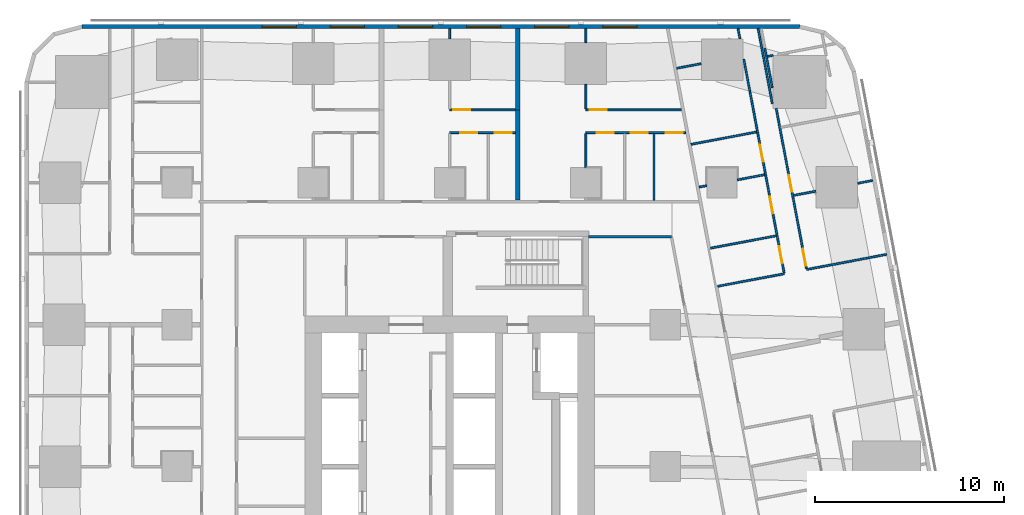
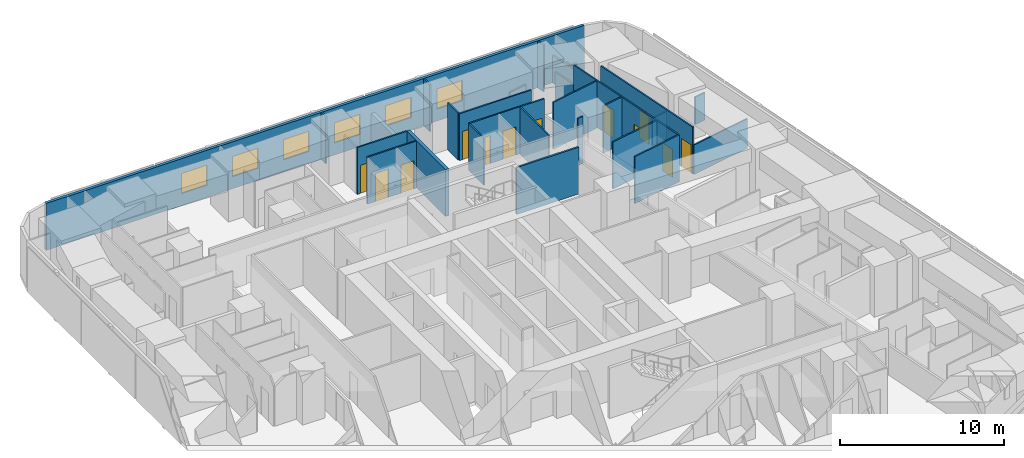
# One storey, part 11 of 16: 29 walls, 12 doors, 6 windows, 18 openings.
"""IFC4 building model written with IfcOpenShell, lengths in metres."""

from ifc_helpers import new_model, si_unit, direction, frame, frame_2d, origin, place, context, subcontext, project, spatial, rectangle, extrude, material, layer, layer_set, type_object, element, fill, save


model = new_model("IFC4")

# Units and contexts
model_context = context("Model", 3, precision=1e-05, world=origin(), true_north=direction((0.0, 1.0)))
body_context = subcontext(model_context, "Body", "Model", "MODEL_VIEW")
ifc_project = project(units=[si_unit("LENGTHUNIT", "METRE"), si_unit("AREAUNIT", "SQUARE_METRE"), si_unit("VOLUMEUNIT", "CUBIC_METRE"), si_unit("PLANEANGLEUNIT", "RADIAN"), si_unit("MASSUNIT", "GRAM", prefix="KILO")], contexts=[model_context])

# Site, building, storey
site_placement = place(None, origin())
site = spatial("IfcSite", under=ifc_project, at=site_placement, CompositionType="ELEMENT")
building_placement = place(site_placement, origin())
building = spatial("IfcBuilding", under=site, at=building_placement, Name="Sheger Commons Tower", CompositionType="ELEMENT")
storey_placement = place(building_placement, frame((0.0, 0.0, 89.14990234375)))
storey = spatial("IfcBuildingStorey", under=building, at=storey_placement, Name="L22", CompositionType="ELEMENT", Elevation=89.14990234375)

# Walls
ifc_material_1 = material(Name="Dense concrete block masonry, plastered both sides (separating wall between flats)", Category="masonry")
ifc_layer_1 = layer(ifc_material_1, 0.25)
ifc_layer_set_1 = layer_set([ifc_layer_1], Name="DEMISING WALL 250")
wall_type_1 = type_object("IfcWallType", Name="DEMISING WALL 250", PredefinedType="SOLIDWALL", material=ifc_layer_set_1)
wall_1_placement = place(storey_placement, frame((25.199951171875, 41.35009765625, 0.0), z_axis=(0.0, 0.0, 1.0), x_axis=(0.0, 1.0, 0.0)))
element("IfcWall", 1, at=wall_1_placement, inside=storey, type_object=wall_type_1, Name="Demising wall L22", PredefinedType="SOLIDWALL", context=body_context, shape_type="SweptSolid", body=[
    extrude(rectangle(XDim=4.2998046875, YDim=0.25, at=frame_2d((2.14990234375, 0.0))), origin(), (0.0, 0.0, 1.0), 2.2001953125),
])
wall_2_placement = place(storey_placement, frame((25.199951171875, 36.574951171875, 0.0), z_axis=(0.0, 0.0, 1.0), x_axis=(0.0, 1.0, 0.0)))
element("IfcWall", 2, at=wall_2_placement, inside=storey, type_object=wall_type_1, Name="Demising wall L22", PredefinedType="SOLIDWALL", context=body_context, shape_type="SweptSolid", body=[
    extrude(rectangle(XDim=4.775146484375, YDim=0.25, at=frame_2d((2.3876953125, 0.0))), origin(), (0.0, 0.0, 1.0), 3.5),
])

# Wall, openings, windows
ifc_material_2 = material(Name="Rendered concrete block masonry, dark grey", Category="masonry")
ifc_layer_2 = layer(ifc_material_2, 0.199951171875)
ifc_layer_set_2 = layer_set([ifc_layer_2], Name="FACADE WALL 200")
wall_type_2 = type_object("IfcWallType", Name="FACADE WALL 200", PredefinedType="SOLIDWALL", material=ifc_layer_set_2)
wall_3_placement = place(storey_placement, frame((40.10595703125, 45.75, 0.0), z_axis=(0.0, 0.0, 1.0), x_axis=(-1.0, 0.0, 0.0)))
wall_3 = element("IfcWall", 3, at=wall_3_placement, inside=storey, type_object=wall_type_2, Name="Facade wall L22", PredefinedType="SOLIDWALL", context=body_context, shape_type="SweptSolid", body=[
    extrude(rectangle(XDim=37.94287109375, YDim=0.199951171875, at=frame_2d((18.971435546875, 0.0))), origin(), (0.0, 0.0, 1.0), 3.5),
])
opening_1_placement = place(wall_3_placement, frame((8.60595703125, 0.0, 0.89990234375)))
opening_1 = element("IfcOpeningElement", 4, at=opening_1_placement, cuts=wall_3, Name="Opening W2", PredefinedType="OPENING", context=body_context, shape_type="SweptSolid", body=[
    extrude(rectangle(XDim=1.800048828125, YDim=1.5, at=frame_2d((0.89990234375, 0.75))), frame((0.0, 0.10986328125, 0.0), z_axis=(0.0, -1.0, 0.0), x_axis=(1.0, 0.0, 0.0)), (0.0, 0.0, 1.0), 0.219970703125),
])
opening_2_placement = place(wall_3_placement, frame((12.2060546875, 0.0, 0.89990234375)))
opening_2 = element("IfcOpeningElement", 5, at=opening_2_placement, cuts=wall_3, Name="Opening W2", PredefinedType="OPENING", context=body_context, shape_type="SweptSolid", body=[
    extrude(rectangle(XDim=1.800048828125, YDim=1.5, at=frame_2d((0.89990234375, 0.75))), frame((0.0, 0.10986328125, 0.0), z_axis=(0.0, -1.0, 0.0), x_axis=(1.0, 0.0, 0.0)), (0.0, 0.0, 1.0), 0.219970703125),
])
opening_3_placement = place(wall_3_placement, frame((15.805908203125, 0.0, 0.89990234375)))
opening_3 = element("IfcOpeningElement", 6, at=opening_3_placement, cuts=wall_3, Name="Opening W2", PredefinedType="OPENING", context=body_context, shape_type="SweptSolid", body=[
    extrude(rectangle(XDim=1.800048828125, YDim=1.5, at=frame_2d((0.89990234375, 0.75))), frame((0.0, 0.10986328125, 0.0), z_axis=(0.0, -1.0, 0.0), x_axis=(1.0, 0.0, 0.0)), (0.0, 0.0, 1.0), 0.219970703125),
])
opening_4_placement = place(wall_3_placement, frame((19.406005859375, 0.0, 0.89990234375)))
opening_4 = element("IfcOpeningElement", 7, at=opening_4_placement, cuts=wall_3, Name="Opening W2", PredefinedType="OPENING", context=body_context, shape_type="SweptSolid", body=[
    extrude(rectangle(XDim=1.800048828125, YDim=1.5, at=frame_2d((0.89990234375, 0.75))), frame((0.0, 0.10986328125, 0.0), z_axis=(0.0, -1.0, 0.0), x_axis=(1.0, 0.0, 0.0)), (0.0, 0.0, 1.0), 0.219970703125),
])
opening_5_placement = place(wall_3_placement, frame((23.006103515625, 0.0, 0.89990234375)))
opening_5 = element("IfcOpeningElement", 8, at=opening_5_placement, cuts=wall_3, Name="Opening W2", PredefinedType="OPENING", context=body_context, shape_type="SweptSolid", body=[
    extrude(rectangle(XDim=1.800048828125, YDim=1.5, at=frame_2d((0.89990234375, 0.75))), frame((0.0, 0.10986328125, 0.0), z_axis=(0.0, -1.0, 0.0), x_axis=(1.0, 0.0, 0.0)), (0.0, 0.0, 1.0), 0.219970703125),
])
opening_6_placement = place(wall_3_placement, frame((26.60595703125, 0.0, 0.89990234375)))
opening_6 = element("IfcOpeningElement", 9, at=opening_6_placement, cuts=wall_3, Name="Opening W2", PredefinedType="OPENING", context=body_context, shape_type="SweptSolid", body=[
    extrude(rectangle(XDim=1.800048828125, YDim=1.5, at=frame_2d((0.89990234375, 0.75))), frame((0.0, 0.10986328125, 0.0), z_axis=(0.0, -1.0, 0.0), x_axis=(1.0, 0.0, 0.0)), (0.0, 0.0, 1.0), 0.219970703125),
])
ifc_material_3 = material(Name="Black aluminium frame, dark tinted double glazing", Category="aluminium")
window_type = type_object("IfcWindowType", Name="WINDOW W2 1800x1500", PartitioningType="SINGLE_PANEL", PredefinedType="WINDOW", material=ifc_material_3)
window_1_placement = place(opening_1_placement, origin())
window_1 = element("IfcWindow", 10, at=window_1_placement, inside=storey, type_object=window_type, Name="Window W2 1800X1500", OverallHeight=1.5, OverallWidth=1.800048828125, PartitioningType="SINGLE_PANEL", PredefinedType="WINDOW", context=body_context, shape_type="SweptSolid", body=[
    extrude(rectangle(XDim=1.800048828125, YDim=1.5, at=frame_2d((0.89990234375, 0.75))), frame((0.0, 0.030029296875, 0.0), z_axis=(0.0, -1.0, 0.0), x_axis=(1.0, 0.0, 0.0)), (0.0, 0.0, 1.0), 0.06005859375),
])
fill(opening_1, window_1)
window_2_placement = place(opening_2_placement, origin())
window_2 = element("IfcWindow", 11, at=window_2_placement, inside=storey, type_object=window_type, Name="Window W2 1800X1500", OverallHeight=1.5, OverallWidth=1.800048828125, PartitioningType="SINGLE_PANEL", PredefinedType="WINDOW", context=body_context, shape_type="SweptSolid", body=[
    extrude(rectangle(XDim=1.800048828125, YDim=1.5, at=frame_2d((0.89990234375, 0.75))), frame((0.0, 0.030029296875, 0.0), z_axis=(0.0, -1.0, 0.0), x_axis=(1.0, 0.0, 0.0)), (0.0, 0.0, 1.0), 0.06005859375),
])
fill(opening_2, window_2)
window_3_placement = place(opening_3_placement, origin())
window_3 = element("IfcWindow", 12, at=window_3_placement, inside=storey, type_object=window_type, Name="Window W2 1800X1500", OverallHeight=1.5, OverallWidth=1.800048828125, PartitioningType="SINGLE_PANEL", PredefinedType="WINDOW", context=body_context, shape_type="SweptSolid", body=[
    extrude(rectangle(XDim=1.800048828125, YDim=1.5, at=frame_2d((0.89990234375, 0.75))), frame((0.0, 0.030029296875, 0.0), z_axis=(0.0, -1.0, 0.0), x_axis=(1.0, 0.0, 0.0)), (0.0, 0.0, 1.0), 0.06005859375),
])
fill(opening_3, window_3)
window_4_placement = place(opening_4_placement, origin())
window_4 = element("IfcWindow", 13, at=window_4_placement, inside=storey, type_object=window_type, Name="Window W2 1800X1500", OverallHeight=1.5, OverallWidth=1.800048828125, PartitioningType="SINGLE_PANEL", PredefinedType="WINDOW", context=body_context, shape_type="SweptSolid", body=[
    extrude(rectangle(XDim=1.800048828125, YDim=1.5, at=frame_2d((0.89990234375, 0.75))), frame((0.0, 0.030029296875, 0.0), z_axis=(0.0, -1.0, 0.0), x_axis=(1.0, 0.0, 0.0)), (0.0, 0.0, 1.0), 0.06005859375),
])
fill(opening_4, window_4)
window_5_placement = place(opening_5_placement, origin())
window_5 = element("IfcWindow", 14, at=window_5_placement, inside=storey, type_object=window_type, Name="Window W2 1800X1500", OverallHeight=1.5, OverallWidth=1.800048828125, PartitioningType="SINGLE_PANEL", PredefinedType="WINDOW", context=body_context, shape_type="SweptSolid", body=[
    extrude(rectangle(XDim=1.800048828125, YDim=1.5, at=frame_2d((0.89990234375, 0.75))), frame((0.0, 0.030029296875, 0.0), z_axis=(0.0, -1.0, 0.0), x_axis=(1.0, 0.0, 0.0)), (0.0, 0.0, 1.0), 0.06005859375),
])
fill(opening_5, window_5)
window_6_placement = place(opening_6_placement, origin())
window_6 = element("IfcWindow", 15, at=window_6_placement, inside=storey, type_object=window_type, Name="Window W2 1800X1500", OverallHeight=1.5, OverallWidth=1.800048828125, PartitioningType="SINGLE_PANEL", PredefinedType="WINDOW", context=body_context, shape_type="SweptSolid", body=[
    extrude(rectangle(XDim=1.800048828125, YDim=1.5, at=frame_2d((0.89990234375, 0.75))), frame((0.0, 0.030029296875, 0.0), z_axis=(0.0, -1.0, 0.0), x_axis=(1.0, 0.0, 0.0)), (0.0, 0.0, 1.0), 0.06005859375),
])
fill(opening_6, window_6)

# Walls
ifc_material_4 = material(Name="Gypsum board on steel studs", Category="steel")
ifc_layer_3 = layer(ifc_material_4, 0.10009765625)
ifc_layer_set_3 = layer_set([ifc_layer_3], Name="PARTITION 100")
wall_type_3 = type_object("IfcWallType", Name="PARTITION 100", PredefinedType="PARTITIONING", material=ifc_layer_set_3)
wall_4_placement = place(storey_placement, frame((38.654052734375, 41.68603515625, 0.0), z_axis=(0.0, 0.0, 1.0), x_axis=(-0.185676896978, 0.982610853761, 0.0)))
element("IfcWall", 16, at=wall_4_placement, inside=storey, type_object=wall_type_3, Name="Partition L22", PredefinedType="PARTITIONING", context=body_context, shape_type="SweptSolid", body=[
    extrude(rectangle(XDim=4.033935546875, YDim=0.10009765625, at=frame_2d((2.01708984375, 0.0))), origin(), (0.0, 0.0, 1.0), 2.050048828125),
])
wall_5_placement = place(storey_placement, frame((38.256103515625, 44.6279296875, 0.0), z_axis=(0.0, 0.0, 1.0), x_axis=(0.185757524649, -0.982595614704, 0.0)))
element("IfcWall", 17, at=wall_5_placement, inside=storey, type_object=wall_type_3, Name="Partition L22", PredefinedType="PARTITIONING", context=body_context, shape_type="SweptSolid", body=[
    extrude(rectangle(XDim=2.136962890625, YDim=0.10009765625, at=frame_2d((1.068359375, 0.0))), origin(), (0.0, 0.0, 1.0), 2.050048828125),
])

# Wall, openings, doors
wall_6_placement = place(storey_placement, frame((38.862060546875, 41.419921875, 0.0), z_axis=(0.0, 0.0, 1.0), x_axis=(0.185574815416, -0.982630137887, 0.0)))
wall_6 = element("IfcWall", 18, at=wall_6_placement, inside=storey, type_object=wall_type_3, Name="Partition L22", PredefinedType="PARTITIONING", context=body_context, shape_type="SweptSolid", body=[
    extrude(rectangle(XDim=8.605224609375, YDim=0.10009765625, at=frame_2d((4.302734375, 0.0))), origin(), (0.0, 0.0, 1.0), 3.5),
])
opening_7_placement = place(wall_6_placement, frame((7.554931640625, 0.0, 0.0)))
opening_7 = element("IfcOpeningElement", 19, at=opening_7_placement, cuts=wall_6, Name="Opening D2", PredefinedType="OPENING", context=body_context, shape_type="SweptSolid", body=[
    extrude(rectangle(XDim=0.89990234375, YDim=2.10009765625, at=frame_2d((0.449951171875, 1.050048828125))), frame((0.0, 0.06005859375, 0.0), z_axis=(0.0, -1.0, 0.0), x_axis=(1.0, 0.0, 0.0)), (0.0, 0.0, 1.0), 0.1201171875),
])
opening_8_placement = place(wall_6_placement, frame((3.5791015625, 0.0, 0.0)))
opening_8 = element("IfcOpeningElement", 20, at=opening_8_placement, cuts=wall_6, Name="Opening D2", PredefinedType="OPENING", context=body_context, shape_type="SweptSolid", body=[
    extrude(rectangle(XDim=0.89990234375, YDim=2.10009765625, at=frame_2d((0.449951171875, 1.050048828125))), frame((0.0, 0.06005859375, 0.0), z_axis=(0.0, -1.0, 0.0), x_axis=(1.0, 0.0, 0.0)), (0.0, 0.0, 1.0), 0.1201171875),
])
ifc_material_5 = material(Name="Timber door set", Category="wood")
door_type = type_object("IfcDoorType", Name="INTERNAL DOOR 900x2100", OperationType="NOTDEFINED", PredefinedType="DOOR", material=ifc_material_5)
door_1_placement = place(opening_7_placement, origin())
door_1 = element("IfcDoor", 21, at=door_1_placement, inside=storey, type_object=door_type, Name="Main bedroom door", OperationType="SINGLE_SWING_RIGHT", OverallHeight=2.10009765625, OverallWidth=0.89990234375, PredefinedType="DOOR", context=body_context, shape_type="SweptSolid", body=[
    extrude(rectangle(XDim=0.89990234375, YDim=2.10009765625, at=frame_2d((0.449951171875, 1.050048828125))), frame((0.0, 0.02490234375, 0.0), z_axis=(0.0, -1.0, 0.0), x_axis=(1.0, 0.0, 0.0)), (0.0, 0.0, 1.0), 0.050048828125),
])
fill(opening_7, door_1)
door_2_placement = place(opening_8_placement, origin())
door_2 = element("IfcDoor", 22, at=door_2_placement, inside=storey, type_object=door_type, Name="Bedroom 2 door", OperationType="SINGLE_SWING_RIGHT", OverallHeight=2.10009765625, OverallWidth=0.89990234375, PredefinedType="DOOR", context=body_context, shape_type="SweptSolid", body=[
    extrude(rectangle(XDim=0.89990234375, YDim=2.10009765625, at=frame_2d((0.449951171875, 1.050048828125))), frame((0.0, 0.02490234375, 0.0), z_axis=(0.0, -1.0, 0.0), x_axis=(1.0, 0.0, 0.0)), (0.0, 0.0, 1.0), 0.050048828125),
])
fill(opening_8, door_2)

# Walls
wall_7_placement = place(storey_placement, frame((36.842041015625, 45.64990234375, 0.0), z_axis=(0.0, 0.0, 1.0), x_axis=(0.185764109712, -0.98259436979, 0.0)))
element("IfcWall", 23, at=wall_7_placement, inside=storey, type_object=wall_type_3, Name="Partition L22", PredefinedType="PARTITIONING", context=body_context, shape_type="SweptSolid", body=[
    extrude(rectangle(XDim=0.54931640625, YDim=0.10009765625, at=frame_2d((0.274658203125, 0.0))), origin(), (0.0, 0.0, 1.0), 3.5),
])
wall_8_placement = place(storey_placement, frame((37.14892578125, 44.02197265625, 0.0), z_axis=(0.0, 0.0, 1.0), x_axis=(0.185844162065, -0.982579232137, 0.0)))
element("IfcWall", 24, at=wall_8_placement, inside=storey, type_object=wall_type_3, Name="Partition L22", PredefinedType="PARTITIONING", context=body_context, shape_type="SweptSolid", body=[
    extrude(rectangle(XDim=1.7431640625, YDim=0.10009765625, at=frame_2d((0.87158203125, 0.0))), origin(), (0.0, 0.0, 1.0), 2.050048828125),
])

# Wall, openings, doors
wall_9_placement = place(storey_placement, frame((37.472900390625, 42.30908203125, 0.0), z_axis=(0.0, 0.0, 1.0), x_axis=(0.185491912953, -0.982645790827, 0.0)))
wall_9 = element("IfcWall", 25, at=wall_9_placement, inside=storey, type_object=wall_type_3, Name="Partition L22", PredefinedType="PARTITIONING", context=body_context, shape_type="SweptSolid", body=[
    extrude(rectangle(XDim=9.737060546875, YDim=0.10009765625, at=frame_2d((4.86865234375, 0.0))), origin(), (0.0, 0.0, 1.0), 3.5),
])
opening_9_placement = place(wall_9_placement, frame((8.31201171875, 0.0, 0.0)))
opening_9 = element("IfcOpeningElement", 26, at=opening_9_placement, cuts=wall_9, Name="Opening D2", PredefinedType="OPENING", context=body_context, shape_type="SweptSolid", body=[
    extrude(rectangle(XDim=0.89990234375, YDim=2.10009765625, at=frame_2d((0.449951171875, 1.050048828125))), frame((0.0, 0.06005859375, 0.0), z_axis=(0.0, -1.0, 0.0), x_axis=(1.0, 0.0, 0.0)), (0.0, 0.0, 1.0), 0.1201171875),
])
opening_10_placement = place(wall_9_placement, frame((2.85302734375, 0.0, 0.0)))
opening_10 = element("IfcOpeningElement", 27, at=opening_10_placement, cuts=wall_9, Name="Opening D2", PredefinedType="OPENING", context=body_context, shape_type="SweptSolid", body=[
    extrude(rectangle(XDim=0.89990234375, YDim=2.10009765625, at=frame_2d((0.449951171875, 1.050048828125))), frame((0.0, 0.06005859375, 0.0), z_axis=(0.0, -1.0, 0.0), x_axis=(1.0, 0.0, 0.0)), (0.0, 0.0, 1.0), 0.1201171875),
])
opening_11_placement = place(wall_9_placement, frame((5.64404296875, 0.0, 0.0)))
opening_11 = element("IfcOpeningElement", 28, at=opening_11_placement, cuts=wall_9, Name="Opening D2", PredefinedType="OPENING", context=body_context, shape_type="SweptSolid", body=[
    extrude(rectangle(XDim=0.89990234375, YDim=2.10009765625, at=frame_2d((0.449951171875, 1.050048828125))), frame((0.0, 0.06005859375, 0.0), z_axis=(0.0, -1.0, 0.0), x_axis=(1.0, 0.0, 0.0)), (0.0, 0.0, 1.0), 0.1201171875),
])
door_3_placement = place(opening_9_placement, origin())
door_3 = element("IfcDoor", 29, at=door_3_placement, inside=storey, type_object=door_type, Name="Bathroom door", OperationType="SINGLE_SWING_LEFT", OverallHeight=2.10009765625, OverallWidth=0.89990234375, PredefinedType="DOOR", context=body_context, shape_type="SweptSolid", body=[
    extrude(rectangle(XDim=0.89990234375, YDim=2.10009765625, at=frame_2d((0.449951171875, 1.050048828125))), frame((0.0, 0.02490234375, 0.0), z_axis=(0.0, -1.0, 0.0), x_axis=(1.0, 0.0, 0.0)), (0.0, 0.0, 1.0), 0.050048828125),
])
fill(opening_9, door_3)
door_4_placement = place(opening_10_placement, origin())
door_4 = element("IfcDoor", 30, at=door_4_placement, inside=storey, type_object=door_type, Name="Laundry room door", OperationType="SINGLE_SWING_RIGHT", OverallHeight=2.10009765625, OverallWidth=0.89990234375, PredefinedType="DOOR", context=body_context, shape_type="SweptSolid", body=[
    extrude(rectangle(XDim=0.89990234375, YDim=2.10009765625, at=frame_2d((0.449951171875, 1.050048828125))), frame((0.0, 0.02490234375, 0.0), z_axis=(0.0, -1.0, 0.0), x_axis=(1.0, 0.0, 0.0)), (0.0, 0.0, 1.0), 0.050048828125),
])
fill(opening_10, door_4)
door_5_placement = place(opening_11_placement, origin())
door_5 = element("IfcDoor", 31, at=door_5_placement, inside=storey, type_object=door_type, Name="Store door", OperationType="SINGLE_SWING_RIGHT", OverallHeight=2.10009765625, OverallWidth=0.89990234375, PredefinedType="DOOR", context=body_context, shape_type="SweptSolid", body=[
    extrude(rectangle(XDim=0.89990234375, YDim=2.10009765625, at=frame_2d((0.449951171875, 1.050048828125))), frame((0.0, 0.02490234375, 0.0), z_axis=(0.0, -1.0, 0.0), x_axis=(1.0, 0.0, 0.0)), (0.0, 0.0, 1.0), 0.050048828125),
])
fill(opening_11, door_5)

# Walls
wall_10_placement = place(storey_placement, frame((38.69189453125, 44.22998046875, 0.0), z_axis=(0.0, 0.0, 1.0), x_axis=(-0.982944840311, -0.183900627803, 0.0)))
element("IfcWall", 32, at=wall_10_placement, inside=storey, type_object=wall_type_3, Name="Partition L22", PredefinedType="PARTITIONING", context=body_context, shape_type="SweptSolid", body=[
    extrude(rectangle(XDim=0.303955078125, YDim=0.10009765625, at=frame_2d((0.15185546875, 0.0))), origin(), (0.0, 0.0, 1.0), 2.050048828125),
])
wall_11_placement = place(storey_placement, frame((43.955078125, 37.6201171875, 0.0), z_axis=(0.0, 0.0, 1.0), x_axis=(-0.98247004097, -0.186420542316, 0.0)))
element("IfcWall", 33, at=wall_11_placement, inside=storey, type_object=wall_type_3, Name="Partition L22", PredefinedType="PARTITIONING", context=body_context, shape_type="SweptSolid", body=[
    extrude(rectangle(XDim=0.794921875, YDim=0.10009765625, at=frame_2d((0.3974609375, 0.0))), origin(), (0.0, 0.0, 1.0), 2.050048828125),
])
wall_12_placement = place(storey_placement, frame((40.9541015625, 37.052978515625, 0.0), z_axis=(0.0, 0.0, 1.0), x_axis=(-0.982628652346, -0.185582681276, 0.0)))
element("IfcWall", 34, at=wall_12_placement, inside=storey, type_object=wall_type_3, Name="Partition L22", PredefinedType="PARTITIONING", context=body_context, shape_type="SweptSolid", body=[
    extrude(rectangle(XDim=1.19580078125, YDim=0.10009765625, at=frame_2d((0.597900390625, 0.0))), origin(), (0.0, 0.0, 1.0), 2.050048828125),
])
wall_13_placement = place(storey_placement, frame((44.693115234375, 33.712890625, 0.0), z_axis=(0.0, 0.0, 1.0), x_axis=(-0.982633535512, -0.185556823879, 0.0)))
element("IfcWall", 35, at=wall_13_placement, inside=storey, type_object=wall_type_3, Name="Partition L22", PredefinedType="PARTITIONING", context=body_context, shape_type="SweptSolid", body=[
    extrude(rectangle(XDim=4.2998046875, YDim=0.10009765625, at=frame_2d((2.14990234375, 0.0))), origin(), (0.0, 0.0, 1.0), 2.2001953125),
])
wall_14_placement = place(storey_placement, frame((34.889892578125, 43.7900390625, 0.0), z_axis=(0.0, 0.0, 1.0), x_axis=(-0.982696831521, -0.185221319826, 0.0)))
element("IfcWall", 36, at=wall_14_placement, inside=storey, type_object=wall_type_3, Name="Partition L22", PredefinedType="PARTITIONING", context=body_context, shape_type="SweptSolid", body=[
    extrude(rectangle(XDim=1.3115234375, YDim=0.10009765625, at=frame_2d((0.65576171875, 0.0))), origin(), (0.0, 0.0, 1.0), 2.050048828125),
])
wall_15_placement = place(storey_placement, frame((37.822998046875, 40.181884765625, 0.0), z_axis=(0.0, 0.0, 1.0), x_axis=(-0.98263926043, -0.185526504472, 0.0)))
element("IfcWall", 37, at=wall_15_placement, inside=storey, type_object=wall_type_3, Name="Partition L22", PredefinedType="PARTITIONING", context=body_context, shape_type="SweptSolid", body=[
    extrude(rectangle(XDim=3.524169921875, YDim=0.10009765625, at=frame_2d((1.76220703125, 0.0))), origin(), (0.0, 0.0, 1.0), 3.5),
])
wall_16_placement = place(storey_placement, frame((38.25, 37.925048828125, 0.0), z_axis=(0.0, 0.0, 1.0), x_axis=(-0.982626127294, -0.185596050493, 0.0)))
element("IfcWall", 38, at=wall_16_placement, inside=storey, type_object=wall_type_3, Name="Partition L22", PredefinedType="PARTITIONING", context=body_context, shape_type="SweptSolid", body=[
    extrude(rectangle(XDim=1.46533203125, YDim=0.10009765625, at=frame_2d((0.732666015625, 0.0))), origin(), (0.0, 0.0, 1.0), 3.5),
])
wall_17_placement = place(storey_placement, frame((35.18994140625, 37.346923828125, 0.0), z_axis=(0.0, 0.0, 1.0), x_axis=(-0.982798158448, -0.184682916784, 0.0)))
element("IfcWall", 39, at=wall_17_placement, inside=storey, type_object=wall_type_3, Name="Partition L22", PredefinedType="PARTITIONING", context=body_context, shape_type="SweptSolid", body=[
    extrude(rectangle(XDim=0.4111328125, YDim=0.10009765625, at=frame_2d((0.20556640625, 0.0))), origin(), (0.0, 0.0, 1.0), 3.5),
])
wall_18_placement = place(storey_placement, frame((39.2890625, 32.69189453125, 0.0), z_axis=(0.0, 0.0, 1.0), x_axis=(-0.982662827464, -0.185401638399, 0.0)))
element("IfcWall", 40, at=wall_18_placement, inside=storey, type_object=wall_type_3, Name="Partition L22", PredefinedType="PARTITIONING", context=body_context, shape_type="SweptSolid", body=[
    extrude(rectangle(XDim=3.5751953125, YDim=0.10009765625, at=frame_2d((1.78759765625, 0.0))), origin(), (0.0, 0.0, 1.0), 3.5),
])
wall_19_placement = place(storey_placement, frame((38.85888671875, 34.697021484375, 0.0), z_axis=(0.0, 0.0, 1.0), x_axis=(-0.982626628545, -0.185593396635, 0.0)))
element("IfcWall", 41, at=wall_19_placement, inside=storey, type_object=wall_type_3, Name="Partition L22", PredefinedType="PARTITIONING", context=body_context, shape_type="SweptSolid", body=[
    extrude(rectangle(XDim=3.524169921875, YDim=0.10009765625, at=frame_2d((1.76220703125, 0.0))), origin(), (0.0, 0.0, 1.0), 3.5),
])

# Wall, opening, door
wall_20_placement = place(storey_placement, frame((21.60009765625, 41.35009765625, 0.0), z_axis=(0.0, 0.0, 1.0), x_axis=(1.0, 0.0, 0.0)))
wall_20 = element("IfcWall", 42, at=wall_20_placement, inside=storey, type_object=wall_type_3, Name="Partition L22", PredefinedType="PARTITIONING", context=body_context, shape_type="SweptSolid", body=[
    extrude(rectangle(XDim=3.474853515625, YDim=0.10009765625, at=frame_2d((1.7373046875, 0.0))), origin(), (0.0, 0.0, 1.0), 3.5),
])
opening_12_placement = place(wall_20_placement, frame((0.199951171875, 0.0, 0.0)))
opening_12 = element("IfcOpeningElement", 43, at=opening_12_placement, cuts=wall_20, Name="Opening D2", PredefinedType="OPENING", context=body_context, shape_type="SweptSolid", body=[
    extrude(rectangle(XDim=0.89990234375, YDim=2.10009765625, at=frame_2d((0.449951171875, 1.050048828125))), frame((0.0, 0.06005859375, 0.0), z_axis=(0.0, -1.0, 0.0), x_axis=(1.0, 0.0, 0.0)), (0.0, 0.0, 1.0), 0.1201171875),
])
door_6_placement = place(opening_12_placement, origin())
door_6 = element("IfcDoor", 44, at=door_6_placement, inside=storey, type_object=door_type, Name="Main bedroom door", OperationType="SINGLE_SWING_LEFT", OverallHeight=2.10009765625, OverallWidth=0.89990234375, PredefinedType="DOOR", context=body_context, shape_type="SweptSolid", body=[
    extrude(rectangle(XDim=0.89990234375, YDim=2.10009765625, at=frame_2d((0.449951171875, 1.050048828125))), frame((0.0, 0.02490234375, 0.0), z_axis=(0.0, -1.0, 0.0), x_axis=(1.0, 0.0, 0.0)), (0.0, 0.0, 1.0), 0.050048828125),
])
fill(opening_12, door_6)

# Wall, openings, doors
wall_21_placement = place(storey_placement, frame((21.60009765625, 40.14990234375, 0.0), z_axis=(0.0, 0.0, 1.0), x_axis=(1.0, 0.0, 0.0)))
wall_21 = element("IfcWall", 45, at=wall_21_placement, inside=storey, type_object=wall_type_3, Name="Partition L22", PredefinedType="PARTITIONING", context=body_context, shape_type="SweptSolid", body=[
    extrude(rectangle(XDim=3.474853515625, YDim=0.10009765625, at=frame_2d((1.7373046875, 0.0))), origin(), (0.0, 0.0, 1.0), 3.5),
])
opening_13_placement = place(wall_21_placement, frame((0.574951171875, 0.0, 0.0)))
opening_13 = element("IfcOpeningElement", 46, at=opening_13_placement, cuts=wall_21, Name="Opening D2", PredefinedType="OPENING", context=body_context, shape_type="SweptSolid", body=[
    extrude(rectangle(XDim=0.89990234375, YDim=2.10009765625, at=frame_2d((0.449951171875, 1.050048828125))), frame((0.0, 0.06005859375, 0.0), z_axis=(0.0, -1.0, 0.0), x_axis=(1.0, 0.0, 0.0)), (0.0, 0.0, 1.0), 0.1201171875),
])
opening_14_placement = place(wall_21_placement, frame((2.375, 0.0, 0.0)))
opening_14 = element("IfcOpeningElement", 47, at=opening_14_placement, cuts=wall_21, Name="Opening D2", PredefinedType="OPENING", context=body_context, shape_type="SweptSolid", body=[
    extrude(rectangle(XDim=0.89990234375, YDim=2.10009765625, at=frame_2d((0.449951171875, 1.050048828125))), frame((0.0, 0.06005859375, 0.0), z_axis=(0.0, -1.0, 0.0), x_axis=(1.0, 0.0, 0.0)), (0.0, 0.0, 1.0), 0.1201171875),
])
door_7_placement = place(opening_13_placement, origin())
door_7 = element("IfcDoor", 48, at=door_7_placement, inside=storey, type_object=door_type, Name="Bathroom door", OperationType="SINGLE_SWING_RIGHT", OverallHeight=2.10009765625, OverallWidth=0.89990234375, PredefinedType="DOOR", context=body_context, shape_type="SweptSolid", body=[
    extrude(rectangle(XDim=0.89990234375, YDim=2.10009765625, at=frame_2d((0.449951171875, 1.050048828125))), frame((0.0, 0.02490234375, 0.0), z_axis=(0.0, -1.0, 0.0), x_axis=(1.0, 0.0, 0.0)), (0.0, 0.0, 1.0), 0.050048828125),
])
fill(opening_13, door_7)
door_8_placement = place(opening_14_placement, origin())
door_8 = element("IfcDoor", 49, at=door_8_placement, inside=storey, type_object=door_type, Name="Store door", OperationType="SINGLE_SWING_LEFT", OverallHeight=2.10009765625, OverallWidth=0.89990234375, PredefinedType="DOOR", context=body_context, shape_type="SweptSolid", body=[
    extrude(rectangle(XDim=0.89990234375, YDim=2.10009765625, at=frame_2d((0.449951171875, 1.050048828125))), frame((0.0, 0.02490234375, 0.0), z_axis=(0.0, -1.0, 0.0), x_axis=(1.0, 0.0, 0.0)), (0.0, 0.0, 1.0), 0.050048828125),
])
fill(opening_14, door_8)

# Wall
wall_22_placement = place(storey_placement, frame((21.60009765625, 45.10107421875, 0.0), z_axis=(0.0, 0.0, 1.0), x_axis=(0.0, 1.0, 0.0)))
element("IfcWall", 50, at=wall_22_placement, inside=storey, type_object=wall_type_3, Name="Partition L22", PredefinedType="PARTITIONING", context=body_context, shape_type="SweptSolid", body=[
    extrude(rectangle(XDim=0.548828125, YDim=0.10009765625, at=frame_2d((0.2744140625, 0.0))), origin(), (0.0, 0.0, 1.0), 3.5),
])

# Wall, opening, door
wall_23_placement = place(storey_placement, frame((28.800048828125, 41.35009765625, 0.0), z_axis=(0.0, 0.0, 1.0), x_axis=(1.0, 0.0, 0.0)))
wall_23 = element("IfcWall", 51, at=wall_23_placement, inside=storey, type_object=wall_type_3, Name="Partition L22", PredefinedType="PARTITIONING", context=body_context, shape_type="SweptSolid", body=[
    extrude(rectangle(XDim=5.052978515625, YDim=0.10009765625, at=frame_2d((2.5263671875, 0.0))), origin(), (0.0, 0.0, 1.0), 3.5),
])
opening_15_placement = place(wall_23_placement, frame((0.199951171875, 0.0, 0.0)))
opening_15 = element("IfcOpeningElement", 52, at=opening_15_placement, cuts=wall_23, Name="Opening D2", PredefinedType="OPENING", context=body_context, shape_type="SweptSolid", body=[
    extrude(rectangle(XDim=0.89990234375, YDim=2.10009765625, at=frame_2d((0.449951171875, 1.050048828125))), frame((0.0, 0.06005859375, 0.0), z_axis=(0.0, -1.0, 0.0), x_axis=(1.0, 0.0, 0.0)), (0.0, 0.0, 1.0), 0.1201171875),
])
door_9_placement = place(opening_15_placement, origin())
door_9 = element("IfcDoor", 53, at=door_9_placement, inside=storey, type_object=door_type, Name="Main bedroom door", OperationType="SINGLE_SWING_RIGHT", OverallHeight=2.10009765625, OverallWidth=0.89990234375, PredefinedType="DOOR", context=body_context, shape_type="SweptSolid", body=[
    extrude(rectangle(XDim=0.89990234375, YDim=2.10009765625, at=frame_2d((0.449951171875, 1.050048828125))), frame((0.0, 0.02490234375, 0.0), z_axis=(0.0, -1.0, 0.0), x_axis=(1.0, 0.0, 0.0)), (0.0, 0.0, 1.0), 0.050048828125),
])
fill(opening_15, door_9)

# Wall, openings, doors
wall_24_placement = place(storey_placement, frame((28.800048828125, 40.14990234375, 0.0), z_axis=(0.0, 0.0, 1.0), x_axis=(1.0, 0.0, 0.0)))
wall_24 = element("IfcWall", 54, at=wall_24_placement, inside=storey, type_object=wall_type_3, Name="Partition L22", PredefinedType="PARTITIONING", context=body_context, shape_type="SweptSolid", body=[
    extrude(rectangle(XDim=5.280029296875, YDim=0.10009765625, at=frame_2d((2.64013671875, 0.0))), origin(), (0.0, 0.0, 1.0), 3.5),
])
opening_16_placement = place(wall_24_placement, frame((0.574951171875, 0.0, 0.0)))
opening_16 = element("IfcOpeningElement", 55, at=opening_16_placement, cuts=wall_24, Name="Opening D2", PredefinedType="OPENING", context=body_context, shape_type="SweptSolid", body=[
    extrude(rectangle(XDim=0.89990234375, YDim=2.10009765625, at=frame_2d((0.449951171875, 1.050048828125))), frame((0.0, 0.06005859375, 0.0), z_axis=(0.0, -1.0, 0.0), x_axis=(1.0, 0.0, 0.0)), (0.0, 0.0, 1.0), 0.1201171875),
])
opening_17_placement = place(wall_24_placement, frame((4.22998046875, 0.0, 0.0)))
opening_17 = element("IfcOpeningElement", 56, at=opening_17_placement, cuts=wall_24, Name="Opening D2", PredefinedType="OPENING", context=body_context, shape_type="SweptSolid", body=[
    extrude(rectangle(XDim=0.89990234375, YDim=2.10009765625, at=frame_2d((0.449951171875, 1.050048828125))), frame((0.0, 0.06005859375, 0.0), z_axis=(0.0, -1.0, 0.0), x_axis=(1.0, 0.0, 0.0)), (0.0, 0.0, 1.0), 0.1201171875),
])
opening_18_placement = place(wall_24_placement, frame((2.375, 0.0, 0.0)))
opening_18 = element("IfcOpeningElement", 57, at=opening_18_placement, cuts=wall_24, Name="Opening D2", PredefinedType="OPENING", context=body_context, shape_type="SweptSolid", body=[
    extrude(rectangle(XDim=0.89990234375, YDim=2.10009765625, at=frame_2d((0.449951171875, 1.050048828125))), frame((0.0, 0.06005859375, 0.0), z_axis=(0.0, -1.0, 0.0), x_axis=(1.0, 0.0, 0.0)), (0.0, 0.0, 1.0), 0.1201171875),
])
door_10_placement = place(opening_16_placement, origin())
door_10 = element("IfcDoor", 58, at=door_10_placement, inside=storey, type_object=door_type, Name="Bathroom door", OperationType="SINGLE_SWING_RIGHT", OverallHeight=2.10009765625, OverallWidth=0.89990234375, PredefinedType="DOOR", context=body_context, shape_type="SweptSolid", body=[
    extrude(rectangle(XDim=0.89990234375, YDim=2.10009765625, at=frame_2d((0.449951171875, 1.050048828125))), frame((0.0, 0.02490234375, 0.0), z_axis=(0.0, -1.0, 0.0), x_axis=(1.0, 0.0, 0.0)), (0.0, 0.0, 1.0), 0.050048828125),
])
fill(opening_16, door_10)
door_11_placement = place(opening_17_placement, origin())
door_11 = element("IfcDoor", 59, at=door_11_placement, inside=storey, type_object=door_type, Name="Laundry room door", OperationType="SINGLE_SWING_LEFT", OverallHeight=2.10009765625, OverallWidth=0.89990234375, PredefinedType="DOOR", context=body_context, shape_type="SweptSolid", body=[
    extrude(rectangle(XDim=0.89990234375, YDim=2.10009765625, at=frame_2d((0.449951171875, 1.050048828125))), frame((0.0, 0.02490234375, 0.0), z_axis=(0.0, -1.0, 0.0), x_axis=(1.0, 0.0, 0.0)), (0.0, 0.0, 1.0), 0.050048828125),
])
fill(opening_17, door_11)
door_12_placement = place(opening_18_placement, origin())
door_12 = element("IfcDoor", 60, at=door_12_placement, inside=storey, type_object=door_type, Name="Store door", OperationType="SINGLE_SWING_LEFT", OverallHeight=2.10009765625, OverallWidth=0.89990234375, PredefinedType="DOOR", context=body_context, shape_type="SweptSolid", body=[
    extrude(rectangle(XDim=0.89990234375, YDim=2.10009765625, at=frame_2d((0.449951171875, 1.050048828125))), frame((0.0, 0.02490234375, 0.0), z_axis=(0.0, -1.0, 0.0), x_axis=(1.0, 0.0, 0.0)), (0.0, 0.0, 1.0), 0.050048828125),
])
fill(opening_18, door_12)

# Walls
wall_25_placement = place(storey_placement, frame((28.800048828125, 41.39990234375, 0.0), z_axis=(0.0, 0.0, 1.0), x_axis=(0.0, 1.0, 0.0)))
element("IfcWall", 61, at=wall_25_placement, inside=storey, type_object=wall_type_3, Name="Partition L22", PredefinedType="PARTITIONING", context=body_context, shape_type="SweptSolid", body=[
    extrude(rectangle(XDim=1.299072265625, YDim=0.10009765625, at=frame_2d((0.6494140625, 0.0))), origin(), (0.0, 0.0, 1.0), 3.5),
])
wall_26_placement = place(storey_placement, frame((28.800048828125, 44.90087890625, 0.0), z_axis=(0.0, 0.0, 1.0), x_axis=(0.0, 1.0, 0.0)))
element("IfcWall", 62, at=wall_26_placement, inside=storey, type_object=wall_type_3, Name="Partition L22", PredefinedType="PARTITIONING", context=body_context, shape_type="SweptSolid", body=[
    extrude(rectangle(XDim=0.7490234375, YDim=0.10009765625, at=frame_2d((0.37451171875, 0.0))), origin(), (0.0, 0.0, 1.0), 3.5),
])
wall_27_placement = place(storey_placement, frame((28.800048828125, 38.301025390625, 0.0), z_axis=(0.0, 0.0, 1.0), x_axis=(0.0, 1.0, 0.0)))
element("IfcWall", 63, at=wall_27_placement, inside=storey, type_object=wall_type_3, Name="Partition L22", PredefinedType="PARTITIONING", context=body_context, shape_type="SweptSolid", body=[
    extrude(rectangle(XDim=1.799072265625, YDim=0.10009765625, at=frame_2d((0.8994140625, 0.0))), origin(), (0.0, 0.0, 1.0), 3.5),
])
wall_28_placement = place(storey_placement, frame((32.39990234375, 36.574951171875, 0.0), z_axis=(0.0, 0.0, 1.0), x_axis=(0.0, 1.0, 0.0)))
element("IfcWall", 64, at=wall_28_placement, inside=storey, type_object=wall_type_3, Name="Partition L22", PredefinedType="PARTITIONING", context=body_context, shape_type="SweptSolid", body=[
    extrude(rectangle(XDim=3.525146484375, YDim=0.10009765625, at=frame_2d((1.7626953125, 0.0))), origin(), (0.0, 0.0, 1.0), 3.5),
])
ifc_material_6 = material(Name="Gypsum board on steel studs, two layers each side, fire rated", Category="steel")
ifc_layer_4 = layer(ifc_material_6, 0.125)
ifc_layer_set_4 = layer_set([ifc_layer_4], Name="SERVICE WALL 125")
wall_type_4 = type_object("IfcWallType", Name="SERVICE WALL 125", PredefinedType="PARTITIONING", material=ifc_layer_set_4)
wall_29_placement = place(storey_placement, frame((28.949951171875, 34.64990234375, 0.0), z_axis=(0.0, 0.0, 1.0), x_axis=(1.0, 0.0, 0.0)))
element("IfcWall", 65, at=wall_29_placement, inside=storey, type_object=wall_type_4, Name="Service room wall L22", PredefinedType="PARTITIONING", context=body_context, shape_type="SweptSolid", body=[
    extrude(rectangle(XDim=4.381103515625, YDim=0.125, at=frame_2d((2.1904296875, 0.0))), origin(), (0.0, 0.0, 1.0), 3.5),
])

save(model, "model.ifc")
